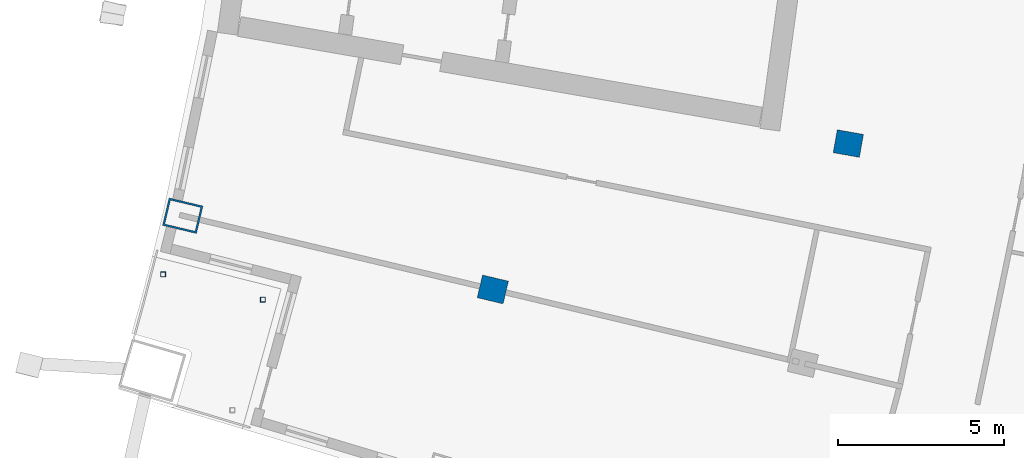
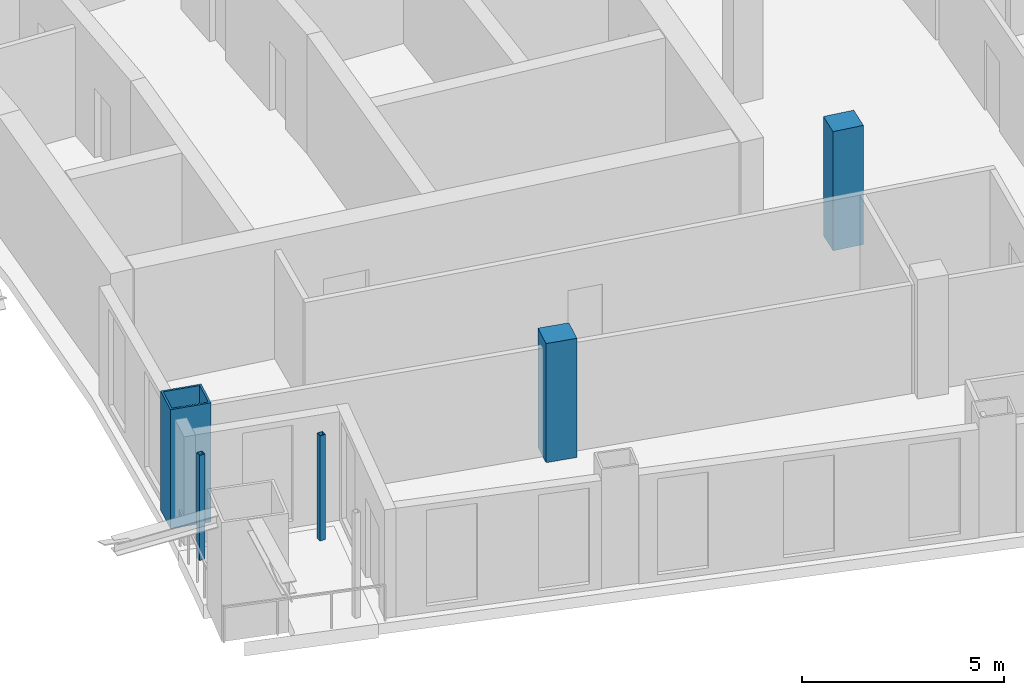
# One storey, part 3 of 21: 5 columns.
"""IFC4 building model written with IfcOpenShell, lengths in metres."""

from ifc_helpers import new_model, si_unit, direction, frame, origin, origin_2d, place, context, subcontext, project, spatial, rectangle, hollow_rectangle, extrude, material, material_profile, profile_set, type_object, element, save


model = new_model("IFC4")

# Units and contexts
model_context = context("Model", 3, precision=1e-05, world=origin(), true_north=direction((0.0, 1.0)))
body_context = subcontext(model_context, "Body", "Model", "MODEL_VIEW")
ifc_project = project(units=[si_unit("LENGTHUNIT", "METRE"), si_unit("AREAUNIT", "SQUARE_METRE"), si_unit("VOLUMEUNIT", "CUBIC_METRE"), si_unit("PLANEANGLEUNIT", "RADIAN"), si_unit("MASSUNIT", "GRAM", prefix="KILO")], contexts=[model_context])

# Site, building, storey
site_placement = place(None, origin())
site = spatial("IfcSite", under=ifc_project, at=site_placement, CompositionType="ELEMENT")
building_placement = place(site_placement, origin())
building = spatial("IfcBuilding", under=site, at=building_placement, Name="Alderwake Tower", CompositionType="ELEMENT")
storey_placement = place(building_placement, frame((0.0, 0.0, 207.199951171875)))
storey = spatial("IfcBuildingStorey", under=building, at=storey_placement, Name="L51", CompositionType="ELEMENT", Elevation=207.199951171875)

# Columns
ifc_material_1 = material(Name="Concrete C70/85", Category="concrete")
ifc_material_profile_1 = material_profile(ifc_material_1, rectangle(XDim=0.699951171875, YDim=0.800048828125, at=origin_2d()), Name="RC 800X700")
ifc_profile_set_1 = profile_set([ifc_material_profile_1], Name="Concrete C70/85")
column_type_1 = type_object("IfcColumnType", Name="Interior column Z4", PredefinedType="COLUMN", material=ifc_profile_set_1)
for number, where, z_axis, x_axis, name in (
    (1, (23.322021484375, 36.444091796875, 0.0), (0.0, 0.0, 1.0), (0.231221547198, 0.972901123502, 0.0), "Column R03-C1"),
    (2, (34.03125, 40.83837890625, 0.0), (0.0, 0.0, 1.0), (0.174108800747, 0.984726421654, 0.0), "Column R04-C2"),
):
    element("IfcColumn", number, at=place(storey_placement, frame(where, z_axis=z_axis, x_axis=x_axis)), inside=storey, type_object=column_type_1, Name=name, PredefinedType="COLUMN", context=body_context, shape_type="SweptSolid", body=[
        extrude(rectangle(XDim=0.699951171875, YDim=0.800048828125, at=origin_2d()), origin(), (0.0, 0.0, 1.0), 3.60009765625),
    ])
ifc_material_2 = material(Name="Steel ASTM A500 Grade C", Category="steel")
ifc_material_profile_2 = material_profile(ifc_material_2, hollow_rectangle(XDim=0.15234375, YDim=0.15234375, WallThickness=0.0087890625, at=origin_2d()), Name="HSS6X6X3/8")
ifc_profile_set_2 = profile_set([ifc_material_profile_2], Name="Steel ASTM A500 Grade C")
column_type_2 = type_object("IfcColumnType", Name="Light post HSS6X6X3/8", PredefinedType="COLUMN", material=ifc_profile_set_2)
for number, where, z_axis, x_axis, name in (
    (3, (13.3896484375, 36.896484375, 0.0), (0.0, 0.0, 1.0), (1.0, 0.0, 0.0), "Terrace post RS1"),
    (4, (16.39501953125, 36.135986328125, 0.0), (0.0, 0.0, 1.0), (1.0, 0.0, 0.0), "Terrace post RS3"),
):
    element("IfcColumn", number, at=place(storey_placement, frame(where, z_axis=z_axis, x_axis=x_axis)), inside=storey, type_object=column_type_2, Name=name, PredefinedType="COLUMN", context=body_context, shape_type="SweptSolid", body=[
        extrude(hollow_rectangle(XDim=0.15234375, YDim=0.15234375, WallThickness=0.0087890625, at=origin_2d()), origin(), (0.0, 0.0, 1.0), 3.179931640625),
    ])
ifc_material_3 = material(Name="Steel ASTM A572 Grade 50 concrete filled C70/85", Category="concrete")
ifc_material_profile_3 = material_profile(ifc_material_3, hollow_rectangle(XDim=0.85009765625, YDim=1.050048828125, WallThickness=0.054931640625, at=origin_2d()), Name="BOX 1050X850X55")
ifc_profile_set_3 = profile_set([ifc_material_profile_3], Name="Steel ASTM A572 Grade 50 concrete filled C70/85")
column_type_3 = type_object("IfcColumnType", Name="Perimeter column Z4", PredefinedType="COLUMN", material=ifc_profile_set_3)
column_placement = place(storey_placement, frame((13.982177734375, 38.6640625, 0.0), z_axis=(0.0, 0.0, 1.0), x_axis=(0.231221547198, 0.972901123502, 0.0)))
element("IfcColumn", 5, at=column_placement, inside=storey, type_object=column_type_3, Name="Column R03-C0", PredefinedType="COLUMN", context=body_context, shape_type="SweptSolid", body=[
    extrude(hollow_rectangle(XDim=0.85009765625, YDim=1.050048828125, WallThickness=0.054931640625, at=origin_2d()), origin(), (0.0, 0.0, 1.0), 3.60009765625),
])

save(model, "model.ifc")
